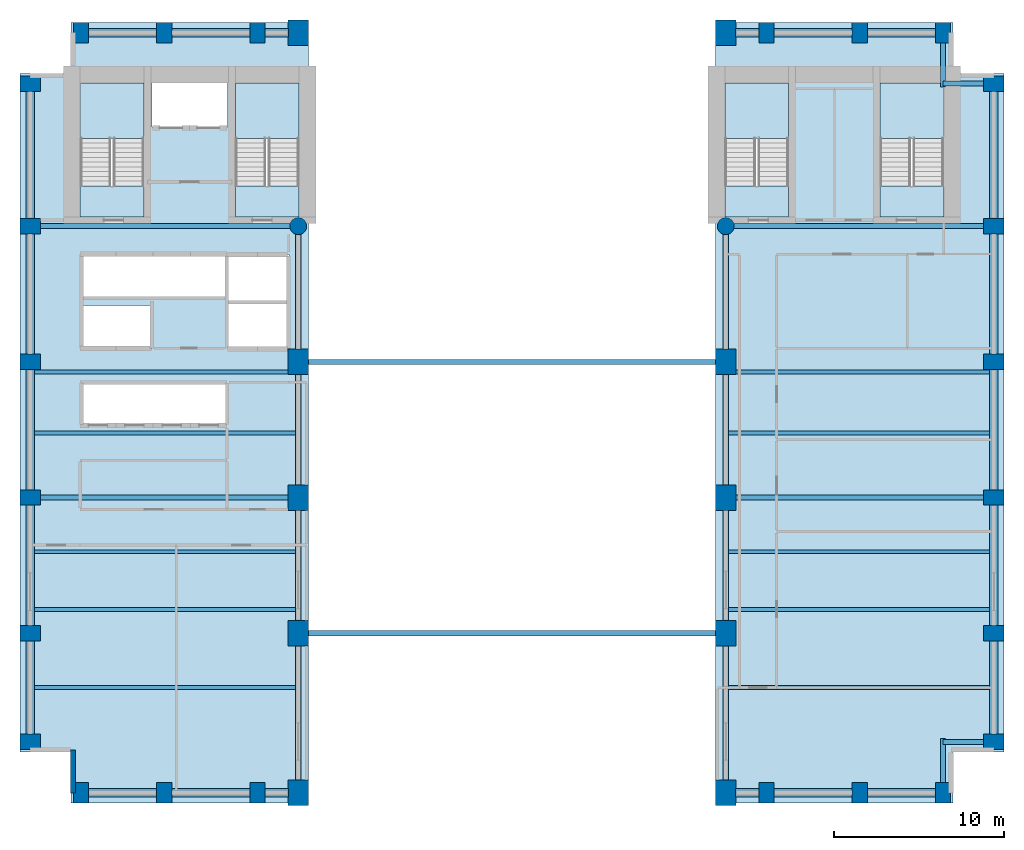
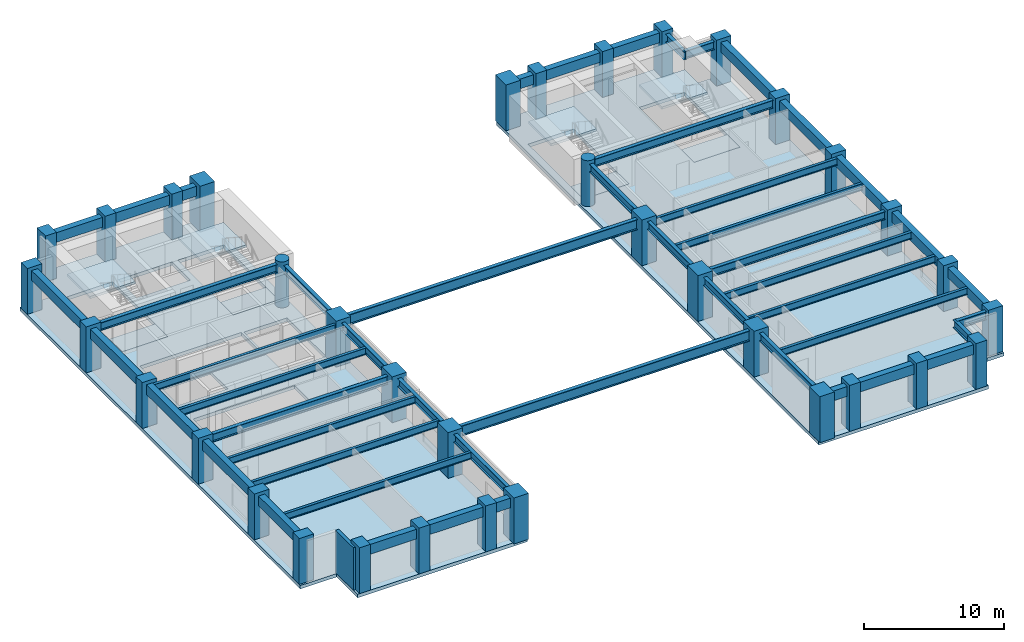
# One storey, part 1 of 7: 46 beams, 36 columns, 10 slabs, 1 wall, 4 elements without a shape of their own.
"""IFC4 building model written with IfcOpenShell, lengths in metres."""

from ifc_helpers import new_model, si_unit, direction, frame, frame_2d, origin, origin_2d, place, context, subcontext, project, spatial, polyline, rectangle, circle, i_section, outline, extrude, material, layer, layer_set, material_profile, profile_set, type_object, element, aggregate, save


model = new_model("IFC4")

# Units and contexts
model_context = context("Model", 3, precision=1e-05, world=origin(), true_north=direction((0.0, 1.0)))
body_context = subcontext(model_context, "Body", "Model", "MODEL_VIEW")
ifc_project = project(units=[si_unit("LENGTHUNIT", "METRE"), si_unit("AREAUNIT", "SQUARE_METRE"), si_unit("VOLUMEUNIT", "CUBIC_METRE"), si_unit("PLANEANGLEUNIT", "RADIAN"), si_unit("MASSUNIT", "GRAM", prefix="KILO")], contexts=[model_context])

# Site, building, storey
site_placement = place(None, origin())
site = spatial("IfcSite", under=ifc_project, at=site_placement, CompositionType="ELEMENT")
building_placement = place(site_placement, origin())
building = spatial("IfcBuilding", under=site, at=building_placement, Name="Sulina Concourse Tower", CompositionType="ELEMENT")
storey_placement = place(building_placement, frame((0.0, 0.0, 26.60009765625)))
storey = spatial("IfcBuildingStorey", under=building, at=storey_placement, Name="L06", CompositionType="ELEMENT", Elevation=26.60009765625)

# Columns
ifc_material_1 = material(Name="Concrete C60/75", Category="concrete")
ifc_material_profile_1 = material_profile(ifc_material_1, circle(Radius=0.5, at=origin_2d()), Name="RC D1000")
ifc_profile_set_1 = profile_set([ifc_material_profile_1], Name="Concrete C60/75")
column_type_1 = type_object("IfcColumnType", Name="Lower Interior Circular Column D1000", PredefinedType="COLUMN", material=ifc_profile_set_1)
for number, where, z_axis, x_axis, name in (
    (1, (16.39990234375, 34.0, 0.0), (0.0, 0.0, 1.0), (1.0, 0.0, 0.0), "L06 structural column IC-N-164"),
    (2, (41.60009765625, 34.0, 0.0), (0.0, 0.0, 1.0), (1.0, 0.0, 0.0), "L06 structural column IC-N-416"),
):
    element("IfcColumn", number, at=place(storey_placement, frame(where, z_axis=z_axis, x_axis=x_axis)), inside=storey, type_object=column_type_1, Name=name, PredefinedType="COLUMN", context=body_context, shape_type="SweptSolid", body=[
        extrude(circle(Radius=0.5, at=origin_2d()), origin(), (0.0, 0.0, 1.0), 4.0),
    ])
ifc_material_2 = material(Name="Concrete C80/95", Category="concrete")
ifc_material_profile_2 = material_profile(ifc_material_2, rectangle(XDim=1.199951171875, YDim=1.5, at=origin_2d()), Name="RC 1200x1500")
ifc_profile_set_2 = profile_set([ifc_material_profile_2], Name="Concrete C80/95")
column_type_2 = type_object("IfcColumnType", Name="Lower Portal End-Leg Column 1200x1500", PredefinedType="COLUMN", material=ifc_profile_set_2)
for number, where, z_axis, x_axis, name in (
    (3, (16.39990234375, 0.60009765625, 0.0), (0.0, 0.0, 1.0), (1.0, 0.0, 0.0), "L06 structural column TP-S-164"),
    (4, (16.39990234375, 45.39990234375, 0.0), (0.0, 0.0, 1.0), (1.0, 0.0, 0.0), "L06 structural column TP-N-164"),
    (5, (41.60009765625, 0.60009765625, 0.0), (0.0, 0.0, 1.0), (1.0, 0.0, 0.0), "L06 structural column TP-S-416"),
    (6, (41.60009765625, 45.39990234375, 0.0), (0.0, 0.0, 1.0), (1.0, 0.0, 0.0), "L06 structural column TP-N-416"),
    (7, (16.39990234375, 10.0, 0.0), (0.0, 0.0, 1.0), (1.0, 0.0, 0.0), "L06 structural column LP-FW-10"),
    (8, (41.60009765625, 10.0, 0.0), (0.0, 0.0, 1.0), (1.0, 0.0, 0.0), "L06 structural column LP-FE-10"),
    (9, (16.39990234375, 18.0, 0.0), (0.0, 0.0, 1.0), (1.0, 0.0, 0.0), "L06 structural column LP-FW-18"),
    (10, (41.60009765625, 18.0, 0.0), (0.0, 0.0, 1.0), (1.0, 0.0, 0.0), "L06 structural column LP-FE-18"),
    (11, (16.39990234375, 26.0, 0.0), (0.0, 0.0, 1.0), (1.0, 0.0, 0.0), "L06 structural column LP-FW-26"),
    (12, (41.60009765625, 26.0, 0.0), (0.0, 0.0, 1.0), (1.0, 0.0, 0.0), "L06 structural column LP-FE-26"),
):
    element("IfcColumn", number, at=place(storey_placement, frame(where, z_axis=z_axis, x_axis=x_axis)), inside=storey, type_object=column_type_2, Name=name, PredefinedType="COLUMN", context=body_context, shape_type="SweptSolid", body=[
        extrude(rectangle(XDim=1.199951171875, YDim=1.5, at=origin_2d()), origin(), (0.0, 0.0, 1.0), 4.0),
    ])
ifc_material_3 = material(Name="Precast concrete C60/75", Category="concrete")
ifc_material_profile_3 = material_profile(ifc_material_3, rectangle(XDim=0.89990234375, YDim=1.199951171875, at=origin_2d()), Name="PC 900x1200")
ifc_profile_set_3 = profile_set([ifc_material_profile_3], Name="Precast concrete C60/75")
column_type_3 = type_object("IfcColumnType", Name="Precast Tube Pier Zone 1 900x1200", PredefinedType="COLUMN", material=ifc_profile_set_3)
for number, where, z_axis, x_axis, name in (
    (13, (3.60009765625, 0.60009765625, 0.0), (0.0, 0.0, 1.0), (1.0, 0.0, 0.0), "L06 structural column TP-S-36"),
    (14, (3.60009765625, 45.39990234375, 0.0), (0.0, 0.0, 1.0), (1.0, 0.0, 0.0), "L06 structural column TP-N-36"),
    (15, (8.5, 0.60009765625, 0.0), (0.0, 0.0, 1.0), (1.0, 0.0, 0.0), "L06 structural column TP-S-85"),
    (16, (8.5, 45.39990234375, 0.0), (0.0, 0.0, 1.0), (1.0, 0.0, 0.0), "L06 structural column TP-N-85"),
    (17, (14.0, 0.60009765625, 0.0), (0.0, 0.0, 1.0), (1.0, 0.0, 0.0), "L06 structural column TP-S-140"),
    (18, (14.0, 45.39990234375, 0.0), (0.0, 0.0, 1.0), (1.0, 0.0, 0.0), "L06 structural column TP-N-140"),
    (19, (44.0, 0.60009765625, 0.0), (0.0, 0.0, 1.0), (1.0, 0.0, 0.0), "L06 structural column TP-S-440"),
    (20, (44.0, 45.39990234375, 0.0), (0.0, 0.0, 1.0), (1.0, 0.0, 0.0), "L06 structural column TP-N-440"),
    (21, (49.5, 0.60009765625, 0.0), (0.0, 0.0, 1.0), (1.0, 0.0, 0.0), "L06 structural column TP-S-495"),
    (22, (49.5, 45.39990234375, 0.0), (0.0, 0.0, 1.0), (1.0, 0.0, 0.0), "L06 structural column TP-N-495"),
    (23, (54.39990234375, 0.60009765625, 0.0), (0.0, 0.0, 1.0), (1.0, 0.0, 0.0), "L06 structural column TP-S-544"),
    (24, (54.39990234375, 45.39990234375, 0.0), (0.0, 0.0, 1.0), (1.0, 0.0, 0.0), "L06 structural column TP-N-544"),
    (25, (0.60009765625, 3.60009765625, 0.0), (0.0, 0.0, 1.0), (0.0, 1.0, 0.0), "L06 structural column TP-W-36"),
    (26, (57.39990234375, 3.60009765625, 0.0), (0.0, 0.0, 1.0), (0.0, 1.0, 0.0), "L06 structural column TP-E-36"),
    (27, (0.60009765625, 10.0, 0.0), (0.0, 0.0, 1.0), (0.0, 1.0, 0.0), "L06 structural column TP-W-100"),
    (28, (57.39990234375, 10.0, 0.0), (0.0, 0.0, 1.0), (0.0, 1.0, 0.0), "L06 structural column TP-E-100"),
    (29, (0.60009765625, 18.0, 0.0), (0.0, 0.0, 1.0), (0.0, 1.0, 0.0), "L06 structural column TP-W-180"),
    (30, (57.39990234375, 18.0, 0.0), (0.0, 0.0, 1.0), (0.0, 1.0, 0.0), "L06 structural column TP-E-180"),
    (31, (0.60009765625, 26.0, 0.0), (0.0, 0.0, 1.0), (0.0, 1.0, 0.0), "L06 structural column TP-W-260"),
    (32, (57.39990234375, 26.0, 0.0), (0.0, 0.0, 1.0), (0.0, 1.0, 0.0), "L06 structural column TP-E-260"),
    (33, (0.60009765625, 34.0, 0.0), (0.0, 0.0, 1.0), (0.0, 1.0, 0.0), "L06 structural column TP-W-340"),
    (34, (57.39990234375, 34.0, 0.0), (0.0, 0.0, 1.0), (0.0, 1.0, 0.0), "L06 structural column TP-E-340"),
    (35, (0.60009765625, 42.39990234375, 0.0), (0.0, 0.0, 1.0), (0.0, 1.0, 0.0), "L06 structural column TP-W-424"),
    (36, (57.39990234375, 42.39990234375, 0.0), (0.0, 0.0, 1.0), (0.0, 1.0, 0.0), "L06 structural column TP-E-424"),
):
    element("IfcColumn", number, at=place(storey_placement, frame(where, z_axis=z_axis, x_axis=x_axis)), inside=storey, type_object=column_type_3, Name=name, PredefinedType="COLUMN", context=body_context, shape_type="SweptSolid", body=[
        extrude(rectangle(XDim=0.89990234375, YDim=1.199951171875, at=origin_2d()), origin(), (0.0, 0.0, 1.0), 4.0),
    ])

# Beams
ifc_material_4 = material(Name="Steel S355", Category="steel")
ifc_material_profile_4 = material_profile(ifc_material_4, i_section(OverallWidth=0.219970703125, OverallDepth=0.60009765625, WebThickness=0.011962890625, FlangeThickness=0.01904296875, at=origin_2d()), Name="IPE 600")
ifc_profile_set_4 = profile_set([ifc_material_profile_4], Name="Steel S355")
beam_type_1 = type_object("IfcBeamType", Name="Composite Floor Joist IPE600", PredefinedType="JOIST", material=ifc_profile_set_4)
for number, where, z_axis, x_axis, name in (
    (37, (0.85009765625, 6.800048828125, 3.39990234375), (1.0, 0.0, 0.0), (0.0, 1.0, 0.0), "FJ-J06-1-L06"),
    (38, (41.75, 6.800048828125, 3.39990234375), (1.0, 0.0, 0.0), (0.0, 1.0, 0.0), "FJ-J06-3-L06"),
    (39, (0.85009765625, 11.39990234375, 3.39990234375), (1.0, 0.0, 0.0), (0.0, 1.0, 0.0), "FJ-J11-1-L06"),
    (40, (41.75, 11.39990234375, 3.39990234375), (1.0, 0.0, 0.0), (0.0, 1.0, 0.0), "FJ-J11-3-L06"),
    (41, (0.85009765625, 14.800048828125, 3.39990234375), (1.0, 0.0, 0.0), (0.0, 1.0, 0.0), "FJ-J15-1-L06"),
    (42, (41.75, 14.800048828125, 3.39990234375), (1.0, 0.0, 0.0), (0.0, 1.0, 0.0), "FJ-J15-3-L06"),
    (43, (0.85009765625, 21.800048828125, 3.39990234375), (1.0, 0.0, 0.0), (0.0, 1.0, 0.0), "FJ-J22-1-L06"),
    (44, (41.75, 21.800048828125, 3.39990234375), (1.0, 0.0, 0.0), (0.0, 1.0, 0.0), "FJ-J22-3-L06"),
    (45, (0.85009765625, 25.39990234375, 3.39990234375), (1.0, 0.0, 0.0), (0.0, 1.0, 0.0), "FJ-J25-1-L06"),
    (46, (41.75, 25.39990234375, 3.39990234375), (1.0, 0.0, 0.0), (0.0, 1.0, 0.0), "FJ-J25-3-L06"),
):
    element("IfcBeam", number, at=place(storey_placement, frame(where, z_axis=z_axis, x_axis=x_axis)), inside=storey, type_object=beam_type_1, Name=name, PredefinedType="JOIST", context=body_context, shape_type="SweptSolid", body=[
        extrude(i_section(OverallWidth=0.219970703125, OverallDepth=0.60009765625, WebThickness=0.011962890625, FlangeThickness=0.01904296875, at=origin_2d()), origin(), (0.0, 0.0, 1.0), 15.39990234375),
    ])
ifc_material_5 = material(Name="Steel S355", Category="steel")
ifc_material_profile_5 = material_profile(ifc_material_5, i_section(OverallWidth=0.300048828125, OverallDepth=0.699951171875, WebThickness=0.01708984375, FlangeThickness=0.031982421875, at=origin_2d()), Name="HE 700 B")
ifc_profile_set_5 = profile_set([ifc_material_profile_5], Name="Steel S355")
beam_type_2 = type_object("IfcBeamType", Name="Floor Primary Girder Zone 1 HE700B", PredefinedType="BEAM", material=ifc_profile_set_5)
for number, where, z_axis, x_axis, name in (
    (47, (54.39990234375, 3.60009765625, 3.349853515625), (1.0, 0.0, 0.0), (0.0, 1.0, 0.0), "TIE-SE-L06"),
    (48, (54.39990234375, 42.39990234375, 3.349853515625), (1.0, 0.0, 0.0), (0.0, 1.0, 0.0), "TIE-NE-L06"),
):
    element("IfcBeam", number, at=place(storey_placement, frame(where, z_axis=z_axis, x_axis=x_axis)), inside=storey, type_object=beam_type_2, Name=name, PredefinedType="BEAM", context=body_context, shape_type="SweptSolid", body=[
        extrude(i_section(OverallWidth=0.300048828125, OverallDepth=0.699951171875, WebThickness=0.01708984375, FlangeThickness=0.031982421875, at=origin_2d()), origin(), (0.0, 0.0, 1.0), 2.570068359375),
    ])
for number, where, z_axis, x_axis, name in (
    (49, (54.39990234375, 1.030029296875, 3.349853515625), (0.0, 1.0, 0.0), (-1.0, 0.0, 0.0), "TIE-SES-L06"),
    (50, (54.39990234375, 42.199951171875, 3.349853515625), (0.0, 1.0, 0.0), (-1.0, 0.0, 0.0), "TIE-NEN-L06"),
):
    element("IfcBeam", number, at=place(storey_placement, frame(where, z_axis=z_axis, x_axis=x_axis)), inside=storey, type_object=beam_type_2, Name=name, PredefinedType="BEAM", context=body_context, shape_type="SweptSolid", body=[
        extrude(i_section(OverallWidth=0.300048828125, OverallDepth=0.699951171875, WebThickness=0.01708984375, FlangeThickness=0.031982421875, at=origin_2d()), origin(), (0.0, 0.0, 1.0), 2.77001953125),
    ])
for number, where, z_axis, x_axis, name in (
    (51, (1.030029296875, 18.0, 3.349853515625), (1.0, 0.0, 0.0), (0.0, 1.0, 0.0), "FG-EW1-L06"),
    (52, (42.179931640625, 18.0, 3.349853515625), (1.0, 0.0, 0.0), (0.0, 1.0, 0.0), "FG-EW3-L06"),
):
    element("IfcBeam", number, at=place(storey_placement, frame(where, z_axis=z_axis, x_axis=x_axis)), inside=storey, type_object=beam_type_2, Name=name, PredefinedType="BEAM", context=body_context, shape_type="SweptSolid", body=[
        extrude(i_section(OverallWidth=0.300048828125, OverallDepth=0.699951171875, WebThickness=0.01708984375, FlangeThickness=0.031982421875, at=origin_2d()), origin(), (0.0, 0.0, 1.0), 14.7900390625),
    ])
for number, where, z_axis, x_axis, name in (
    (53, (1.030029296875, 34.0, 3.349853515625), (1.0, 0.0, 0.0), (0.0, 1.0, 0.0), "FG-EWN1-L06"),
    (54, (42.080078125, 34.0, 3.349853515625), (1.0, 0.0, 0.0), (0.0, 1.0, 0.0), "FG-EWN3-L06"),
):
    element("IfcBeam", number, at=place(storey_placement, frame(where, z_axis=z_axis, x_axis=x_axis)), inside=storey, type_object=beam_type_2, Name=name, PredefinedType="BEAM", context=body_context, shape_type="SweptSolid", body=[
        extrude(i_section(OverallWidth=0.300048828125, OverallDepth=0.699951171875, WebThickness=0.01708984375, FlangeThickness=0.031982421875, at=origin_2d()), origin(), (0.0, 0.0, 1.0), 14.889892578125),
    ])
beam_1_placement = place(storey_placement, frame((16.39990234375, 1.179931640625, 3.349853515625), z_axis=(0.0, 1.0, 0.0), x_axis=(-1.0, 0.0, 0.0)))
element("IfcBeam", 55, at=beam_1_placement, inside=storey, type_object=beam_type_2, Name="FG-NSA-16-L06", PredefinedType="BEAM", context=body_context, shape_type="SweptSolid", body=[
    extrude(i_section(OverallWidth=0.300048828125, OverallDepth=0.699951171875, WebThickness=0.01708984375, FlangeThickness=0.031982421875, at=origin_2d()), origin(), (0.0, 0.0, 1.0), 16.239990234375),
])
beam_2_placement = place(storey_placement, frame((16.39990234375, 18.580078125, 3.349853515625), z_axis=(0.0, 1.0, 0.0), x_axis=(-1.0, 0.0, 0.0)))
element("IfcBeam", 56, at=beam_2_placement, inside=storey, type_object=beam_type_2, Name="FG-NSB-16-L06", PredefinedType="BEAM", context=body_context, shape_type="SweptSolid", body=[
    extrude(i_section(OverallWidth=0.300048828125, OverallDepth=0.699951171875, WebThickness=0.01708984375, FlangeThickness=0.031982421875, at=origin_2d()), origin(), (0.0, 0.0, 1.0), 14.93994140625),
])
beam_3_placement = place(storey_placement, frame((41.60009765625, 1.179931640625, 3.349853515625), z_axis=(0.0, 1.0, 0.0), x_axis=(-1.0, 0.0, 0.0)))
element("IfcBeam", 57, at=beam_3_placement, inside=storey, type_object=beam_type_2, Name="FG-NSA-41-L06", PredefinedType="BEAM", context=body_context, shape_type="SweptSolid", body=[
    extrude(i_section(OverallWidth=0.300048828125, OverallDepth=0.699951171875, WebThickness=0.01708984375, FlangeThickness=0.031982421875, at=origin_2d()), origin(), (0.0, 0.0, 1.0), 16.239990234375),
])
beam_4_placement = place(storey_placement, frame((41.60009765625, 18.580078125, 3.349853515625), z_axis=(0.0, 1.0, 0.0), x_axis=(-1.0, 0.0, 0.0)))
element("IfcBeam", 58, at=beam_4_placement, inside=storey, type_object=beam_type_2, Name="FG-NSB-41-L06", PredefinedType="BEAM", context=body_context, shape_type="SweptSolid", body=[
    extrude(i_section(OverallWidth=0.300048828125, OverallDepth=0.699951171875, WebThickness=0.01708984375, FlangeThickness=0.031982421875, at=origin_2d()), origin(), (0.0, 0.0, 1.0), 14.93994140625),
])
ifc_material_6 = material(Name="Steel S355", Category="steel")
ifc_material_profile_6 = material_profile(ifc_material_6, i_section(OverallWidth=0.302001953125, OverallDepth=0.909912109375, WebThickness=0.02099609375, FlangeThickness=0.0400390625, at=origin_2d()), Name="HE 900 M")
ifc_profile_set_6 = profile_set([ifc_material_profile_6], Name="Steel S355")
beam_type_3 = type_object("IfcBeamType", Name="Lower Portal Bridge Girder HE900M", PredefinedType="BEAM", material=ifc_profile_set_6)
for number, where, z_axis, x_axis, name in (
    (59, (17.0, 10.0, 3.244873046875), (1.0, 0.0, 0.0), (0.0, 1.0, 0.0), "TB-LP2-1-L06"),
    (60, (17.0, 26.0, 3.244873046875), (1.0, 0.0, 0.0), (0.0, 1.0, 0.0), "TB-LP2-2-L06"),
):
    element("IfcBeam", number, at=place(storey_placement, frame(where, z_axis=z_axis, x_axis=x_axis)), inside=storey, type_object=beam_type_3, Name=name, PredefinedType="BEAM", context=body_context, shape_type="SweptSolid", body=[
        extrude(i_section(OverallWidth=0.302001953125, OverallDepth=0.909912109375, WebThickness=0.02099609375, FlangeThickness=0.0400390625, at=origin_2d()), origin(), (0.0, 0.0, 1.0), 24.0),
    ])
ifc_material_7 = material(Name="Precast concrete C50/60", Category="concrete")
ifc_material_profile_7 = material_profile(ifc_material_7, rectangle(XDim=0.5, YDim=0.85009765625, at=origin_2d()), Name="RC 500x850")
ifc_profile_set_7 = profile_set([ifc_material_profile_7], Name="Precast concrete C50/60")
beam_type_4 = type_object("IfcBeamType", Name="Lower Precast Spandrel Edge Beam 500x850", PredefinedType="BEAM", material=ifc_profile_set_7)
beam_5_placement = place(storey_placement, frame((4.030029296875, 0.60009765625, 3.27490234375), z_axis=(1.0, 0.0, 0.0), x_axis=(0.0, 1.0, 0.0)))
element("IfcBeam", 61, at=beam_5_placement, inside=storey, type_object=beam_type_4, Name="SP-S1-L06", PredefinedType="BEAM", context=body_context, shape_type="SweptSolid", body=[
    extrude(rectangle(XDim=0.5, YDim=0.85009765625, at=origin_2d()), origin(), (0.0, 0.0, 1.0), 4.0400390625),
])
beam_6_placement = place(storey_placement, frame((8.929931640625, 0.60009765625, 3.27490234375), z_axis=(1.0, 0.0, 0.0), x_axis=(0.0, 1.0, 0.0)))
element("IfcBeam", 62, at=beam_6_placement, inside=storey, type_object=beam_type_4, Name="SP-S2-L06", PredefinedType="BEAM", context=body_context, shape_type="SweptSolid", body=[
    extrude(rectangle(XDim=0.5, YDim=0.85009765625, at=origin_2d()), origin(), (0.0, 0.0, 1.0), 4.64013671875),
])
for number, where, z_axis, x_axis, name in (
    (63, (14.429931640625, 0.60009765625, 3.27490234375), (1.0, 0.0, 0.0), (0.0, 1.0, 0.0), "SP-S3-L06"),
    (64, (42.179931640625, 0.60009765625, 3.27490234375), (1.0, 0.0, 0.0), (0.0, 1.0, 0.0), "SP-S5-L06"),
):
    element("IfcBeam", number, at=place(storey_placement, frame(where, z_axis=z_axis, x_axis=x_axis)), inside=storey, type_object=beam_type_4, Name=name, PredefinedType="BEAM", context=body_context, shape_type="SweptSolid", body=[
        extrude(rectangle(XDim=0.5, YDim=0.85009765625, at=origin_2d()), origin(), (0.0, 0.0, 1.0), 1.39013671875),
    ])
beam_7_placement = place(storey_placement, frame((44.429931640625, 0.60009765625, 3.27490234375), z_axis=(1.0, 0.0, 0.0), x_axis=(0.0, 1.0, 0.0)))
element("IfcBeam", 65, at=beam_7_placement, inside=storey, type_object=beam_type_4, Name="SP-S6-L06", PredefinedType="BEAM", context=body_context, shape_type="SweptSolid", body=[
    extrude(rectangle(XDim=0.5, YDim=0.85009765625, at=origin_2d()), origin(), (0.0, 0.0, 1.0), 4.64013671875),
])
for number, where, z_axis, x_axis, name in (
    (66, (49.929931640625, 0.60009765625, 3.27490234375), (1.0, 0.0, 0.0), (0.0, 1.0, 0.0), "SP-S7-L06"),
    (67, (4.030029296875, 45.39990234375, 3.27490234375), (1.0, 0.0, 0.0), (0.0, 1.0, 0.0), "SP-N1-L06"),
):
    element("IfcBeam", number, at=place(storey_placement, frame(where, z_axis=z_axis, x_axis=x_axis)), inside=storey, type_object=beam_type_4, Name=name, PredefinedType="BEAM", context=body_context, shape_type="SweptSolid", body=[
        extrude(rectangle(XDim=0.5, YDim=0.85009765625, at=origin_2d()), origin(), (0.0, 0.0, 1.0), 4.0400390625),
    ])
beam_8_placement = place(storey_placement, frame((8.929931640625, 45.39990234375, 3.27490234375), z_axis=(1.0, 0.0, 0.0), x_axis=(0.0, 1.0, 0.0)))
element("IfcBeam", 68, at=beam_8_placement, inside=storey, type_object=beam_type_4, Name="SP-N2-L06", PredefinedType="BEAM", context=body_context, shape_type="SweptSolid", body=[
    extrude(rectangle(XDim=0.5, YDim=0.85009765625, at=origin_2d()), origin(), (0.0, 0.0, 1.0), 4.64013671875),
])
for number, where, z_axis, x_axis, name in (
    (69, (14.429931640625, 45.39990234375, 3.27490234375), (1.0, 0.0, 0.0), (0.0, 1.0, 0.0), "SP-N3-L06"),
    (70, (42.179931640625, 45.39990234375, 3.27490234375), (1.0, 0.0, 0.0), (0.0, 1.0, 0.0), "SP-N5-L06"),
):
    element("IfcBeam", number, at=place(storey_placement, frame(where, z_axis=z_axis, x_axis=x_axis)), inside=storey, type_object=beam_type_4, Name=name, PredefinedType="BEAM", context=body_context, shape_type="SweptSolid", body=[
        extrude(rectangle(XDim=0.5, YDim=0.85009765625, at=origin_2d()), origin(), (0.0, 0.0, 1.0), 1.39013671875),
    ])
beam_9_placement = place(storey_placement, frame((44.429931640625, 45.39990234375, 3.27490234375), z_axis=(1.0, 0.0, 0.0), x_axis=(0.0, 1.0, 0.0)))
element("IfcBeam", 71, at=beam_9_placement, inside=storey, type_object=beam_type_4, Name="SP-N6-L06", PredefinedType="BEAM", context=body_context, shape_type="SweptSolid", body=[
    extrude(rectangle(XDim=0.5, YDim=0.85009765625, at=origin_2d()), origin(), (0.0, 0.0, 1.0), 4.64013671875),
])
beam_10_placement = place(storey_placement, frame((49.929931640625, 45.39990234375, 3.27490234375), z_axis=(1.0, 0.0, 0.0), x_axis=(0.0, 1.0, 0.0)))
element("IfcBeam", 72, at=beam_10_placement, inside=storey, type_object=beam_type_4, Name="SP-N7-L06", PredefinedType="BEAM", context=body_context, shape_type="SweptSolid", body=[
    extrude(rectangle(XDim=0.5, YDim=0.85009765625, at=origin_2d()), origin(), (0.0, 0.0, 1.0), 4.0400390625),
])
beam_11_placement = place(storey_placement, frame((0.60009765625, 4.030029296875, 3.27490234375), z_axis=(0.0, 1.0, 0.0), x_axis=(-1.0, 0.0, 0.0)))
element("IfcBeam", 73, at=beam_11_placement, inside=storey, type_object=beam_type_4, Name="SP-W1-L06", PredefinedType="BEAM", context=body_context, shape_type="SweptSolid", body=[
    extrude(rectangle(XDim=0.5, YDim=0.85009765625, at=origin_2d()), origin(), (0.0, 0.0, 1.0), 5.5400390625),
])
for number, where, z_axis, x_axis, name in (
    (74, (0.60009765625, 10.429931640625, 3.27490234375), (0.0, 1.0, 0.0), (-1.0, 0.0, 0.0), "SP-W2-L06"),
    (75, (0.60009765625, 18.429931640625, 3.27490234375), (0.0, 1.0, 0.0), (-1.0, 0.0, 0.0), "SP-W3-L06"),
    (76, (0.60009765625, 26.429931640625, 3.27490234375), (0.0, 1.0, 0.0), (-1.0, 0.0, 0.0), "SP-W4-L06"),
):
    element("IfcBeam", number, at=place(storey_placement, frame(where, z_axis=z_axis, x_axis=x_axis)), inside=storey, type_object=beam_type_4, Name=name, PredefinedType="BEAM", context=body_context, shape_type="SweptSolid", body=[
        extrude(rectangle(XDim=0.5, YDim=0.85009765625, at=origin_2d()), origin(), (0.0, 0.0, 1.0), 7.14013671875),
    ])
beam_12_placement = place(storey_placement, frame((0.60009765625, 34.429931640625, 3.27490234375), z_axis=(0.0, 1.0, 0.0), x_axis=(-1.0, 0.0, 0.0)))
element("IfcBeam", 77, at=beam_12_placement, inside=storey, type_object=beam_type_4, Name="SP-W5-L06", PredefinedType="BEAM", context=body_context, shape_type="SweptSolid", body=[
    extrude(rectangle(XDim=0.5, YDim=0.85009765625, at=origin_2d()), origin(), (0.0, 0.0, 1.0), 7.5400390625),
])
beam_13_placement = place(storey_placement, frame((57.39990234375, 4.030029296875, 3.27490234375), z_axis=(0.0, 1.0, 0.0), x_axis=(-1.0, 0.0, 0.0)))
element("IfcBeam", 78, at=beam_13_placement, inside=storey, type_object=beam_type_4, Name="SP-E1-L06", PredefinedType="BEAM", context=body_context, shape_type="SweptSolid", body=[
    extrude(rectangle(XDim=0.5, YDim=0.85009765625, at=origin_2d()), origin(), (0.0, 0.0, 1.0), 5.5400390625),
])
for number, where, z_axis, x_axis, name in (
    (79, (57.39990234375, 10.429931640625, 3.27490234375), (0.0, 1.0, 0.0), (-1.0, 0.0, 0.0), "SP-E2-L06"),
    (80, (57.39990234375, 18.429931640625, 3.27490234375), (0.0, 1.0, 0.0), (-1.0, 0.0, 0.0), "SP-E3-L06"),
    (81, (57.39990234375, 26.429931640625, 3.27490234375), (0.0, 1.0, 0.0), (-1.0, 0.0, 0.0), "SP-E4-L06"),
):
    element("IfcBeam", number, at=place(storey_placement, frame(where, z_axis=z_axis, x_axis=x_axis)), inside=storey, type_object=beam_type_4, Name=name, PredefinedType="BEAM", context=body_context, shape_type="SweptSolid", body=[
        extrude(rectangle(XDim=0.5, YDim=0.85009765625, at=origin_2d()), origin(), (0.0, 0.0, 1.0), 7.14013671875),
    ])
beam_14_placement = place(storey_placement, frame((57.39990234375, 34.429931640625, 3.27490234375), z_axis=(0.0, 1.0, 0.0), x_axis=(-1.0, 0.0, 0.0)))
element("IfcBeam", 82, at=beam_14_placement, inside=storey, type_object=beam_type_4, Name="SP-E5-L06", PredefinedType="BEAM", context=body_context, shape_type="SweptSolid", body=[
    extrude(rectangle(XDim=0.5, YDim=0.85009765625, at=origin_2d()), origin(), (0.0, 0.0, 1.0), 7.5400390625),
])

# Slabs
ifc_material_8 = material(Name="Concrete C50/60", Category="concrete")
ifc_layer_1 = layer(ifc_material_8, 0.300048828125)
ifc_layer_set_1 = layer_set([ifc_layer_1], Name="Concrete C50/60")
slab_type_1 = type_object("IfcSlabType", Name="Low-Rise Composite Floor Slab 300mm", PredefinedType="FLOOR", material=ifc_layer_set_1)
slab_1_placement = place(storey_placement, frame((0.0, 0.0, -0.300048828125)))
element("IfcSlab", 83, at=slab_1_placement, inside=storey, type_object=slab_type_1, Name="L06 structural floor slab-P1", PredefinedType="FLOOR", context=body_context, shape_type="SweptSolid", body=[
    extrude(outline(polyline([(3.0, 0.0), (17.0, 0.0), (17.0, 46.0), (3.0, 46.0), (3.0, 43.0), (0.0, 43.0), (0.0, 3.0), (3.0, 3.0), (3.0, 0.0)]), holes=[polyline([(7.31005859375, 34.550048828125), (7.31005859375, 42.429931640625), (3.550048828125, 42.429931640625), (3.550048828125, 34.550048828125), (7.31005859375, 34.550048828125)]), polyline([(16.449951171875, 34.550048828125), (16.449951171875, 42.429931640625), (12.68994140625, 42.429931640625), (12.68994140625, 34.550048828125), (16.449951171875, 34.550048828125)]), polyline([(7.780029296875, 39.830078125), (12.219970703125, 39.830078125), (12.219970703125, 42.449951171875), (7.780029296875, 42.449951171875), (7.780029296875, 39.830078125)]), polyline([(3.739990234375, 26.780029296875), (7.77001953125, 26.780029296875), (7.77001953125, 29.320068359375), (3.739990234375, 29.320068359375), (3.739990234375, 26.780029296875)]), polyline([(3.739990234375, 29.780029296875), (12.10009765625, 29.780029296875), (12.10009765625, 32.3701171875), (3.739990234375, 32.3701171875), (3.739990234375, 29.780029296875)]), polyline([(3.739990234375, 22.280029296875), (12.10009765625, 22.280029296875), (12.10009765625, 24.77001953125), (3.739990234375, 24.77001953125), (3.739990234375, 22.280029296875)]), polyline([(12.280029296875, 26.780029296875), (15.85009765625, 26.780029296875), (15.85009765625, 32.320068359375), (12.280029296875, 32.320068359375), (12.280029296875, 26.780029296875)])]), origin(), (0.0, 0.0, 1.0), 0.300048828125),
])
slab_2_placement = place(storey_placement, frame((0.0, 0.0, -0.300048828125)))
element("IfcSlab", 84, at=slab_2_placement, inside=storey, type_object=slab_type_1, Name="L06 structural floor slab-P2", PredefinedType="FLOOR", context=body_context, shape_type="SweptSolid", body=[
    extrude(outline(polyline([(41.0, 0.0), (55.0, 0.0), (55.0, 3.0), (58.0, 3.0), (58.0, 43.0), (55.0, 43.0), (55.0, 46.0), (41.0, 46.0), (41.0, 0.0)]), holes=[polyline([(45.31005859375, 34.550048828125), (45.31005859375, 42.429931640625), (41.550048828125, 42.429931640625), (41.550048828125, 34.550048828125), (45.31005859375, 34.550048828125)]), polyline([(54.449951171875, 34.550048828125), (54.449951171875, 42.429931640625), (50.68994140625, 42.429931640625), (50.68994140625, 34.550048828125), (54.449951171875, 34.550048828125)])]), origin(), (0.0, 0.0, 1.0), 0.300048828125),
])
ifc_material_9 = material(Name="Concrete C50/60", Category="concrete")
ifc_layer_2 = layer(ifc_material_9, 0.199951171875)
ifc_layer_set_2 = layer_set([ifc_layer_2], Name="Concrete C50/60")
slab_type_2 = type_object("IfcSlabType", Name="Primary Core Stair Landing Slab 200mm", PredefinedType="LANDING", material=ifc_layer_set_2)
slab_3_placement = place(storey_placement, frame((0.0, 0.0, -0.2001953125)))
element("IfcSlab", 85, at=slab_3_placement, inside=storey, type_object=slab_type_2, Name="L06 ST-1 floor landing slab", PredefinedType="LANDING", context=body_context, shape_type="SweptSolid", body=[
    extrude(outline(polyline([(7.31005859375, 34.550048828125), (7.31005859375, 36.375), (3.550048828125, 36.375), (3.550048828125, 34.550048828125), (7.31005859375, 34.550048828125)])), origin(), (0.0, 0.0, 1.0), 0.2001953125),
])
slab_4_placement = place(storey_placement, frame((0.0, 0.0, -0.2001953125)))
element("IfcSlab", 86, at=slab_4_placement, inside=storey, type_object=slab_type_2, Name="L06 ST-2 floor landing slab", PredefinedType="LANDING", context=body_context, shape_type="SweptSolid", body=[
    extrude(outline(polyline([(16.449951171875, 34.550048828125), (16.449951171875, 36.375), (12.68994140625, 36.375), (12.68994140625, 34.550048828125), (16.449951171875, 34.550048828125)])), origin(), (0.0, 0.0, 1.0), 0.2001953125),
])
slab_5_placement = place(storey_placement, frame((0.0, 0.0, -0.2001953125)))
element("IfcSlab", 87, at=slab_5_placement, inside=storey, type_object=slab_type_2, Name="L06 ST-3 floor landing slab", PredefinedType="LANDING", context=body_context, shape_type="SweptSolid", body=[
    extrude(outline(polyline([(45.31005859375, 34.550048828125), (45.31005859375, 36.375), (41.550048828125, 36.375), (41.550048828125, 34.550048828125), (45.31005859375, 34.550048828125)])), origin(), (0.0, 0.0, 1.0), 0.2001953125),
])
slab_6_placement = place(storey_placement, frame((0.0, 0.0, -0.2001953125)))
element("IfcSlab", 88, at=slab_6_placement, inside=storey, type_object=slab_type_2, Name="L06 ST-4 floor landing slab", PredefinedType="LANDING", context=body_context, shape_type="SweptSolid", body=[
    extrude(outline(polyline([(54.449951171875, 34.550048828125), (54.449951171875, 36.375), (50.68994140625, 36.375), (50.68994140625, 34.550048828125), (54.449951171875, 34.550048828125)])), origin(), (0.0, 0.0, 1.0), 0.2001953125),
])

# Stair, slab
ifc_material_10 = material(Name="Concrete C50/60", Category="concrete")
stair_type_1 = type_object("IfcStairType", Name="Primary Core Dog-Leg Exit Stair 1800mm", PredefinedType="HALF_TURN_STAIR", material=ifc_material_10)
stair_1_placement = place(storey_placement, origin())
stair_1 = element("IfcStair", 89, at=stair_1_placement, inside=storey, type_object=stair_type_1, Name="L06 ST-1", PredefinedType="HALF_TURN_STAIR")
slab_7_placement = place(storey_placement, frame((0.0, 0.0, 1.7998046875)))
slab_7 = element("IfcSlab", 90, at=slab_7_placement, type_object=slab_type_2, Name="ST-1 landing 1", PredefinedType="LANDING", context=body_context, shape_type="SweptSolid", body=[
    extrude(outline(polyline([(7.304931640625, 39.175048828125), (7.304931640625, 42.425048828125), (3.554931640625, 42.425048828125), (3.554931640625, 39.175048828125), (7.304931640625, 39.175048828125)])), origin(), (0.0, 0.0, 1.0), 0.2001953125),
])
aggregate(stair_1, [slab_7])

stair_2_placement = place(storey_placement, origin())
stair_2 = element("IfcStair", 91, at=stair_2_placement, inside=storey, type_object=stair_type_1, Name="L06 ST-2", PredefinedType="HALF_TURN_STAIR")
slab_8_placement = place(storey_placement, frame((0.0, 0.0, 1.7998046875)))
slab_8 = element("IfcSlab", 92, at=slab_8_placement, type_object=slab_type_2, Name="ST-2 landing 1", PredefinedType="LANDING", context=body_context, shape_type="SweptSolid", body=[
    extrude(outline(polyline([(16.445068359375, 39.175048828125), (16.445068359375, 42.425048828125), (12.695068359375, 42.425048828125), (12.695068359375, 39.175048828125), (16.445068359375, 39.175048828125)])), origin(), (0.0, 0.0, 1.0), 0.2001953125),
])
aggregate(stair_2, [slab_8])

ifc_material_11 = material(Name="Concrete C50/60", Category="concrete")
stair_type_2 = type_object("IfcStairType", Name="Portal & Podium Core Exit Stair 1820mm", PredefinedType="HALF_TURN_STAIR", material=ifc_material_11)
stair_3_placement = place(storey_placement, origin())
stair_3 = element("IfcStair", 93, at=stair_3_placement, inside=storey, type_object=stair_type_2, Name="L06 ST-3", PredefinedType="HALF_TURN_STAIR")
slab_9_placement = place(storey_placement, frame((0.0, 0.0, 1.7998046875)))
slab_9 = element("IfcSlab", 94, at=slab_9_placement, type_object=slab_type_2, Name="ST-3 landing 1", PredefinedType="LANDING", context=body_context, shape_type="SweptSolid", body=[
    extrude(outline(polyline([(45.304931640625, 39.175048828125), (45.304931640625, 42.425048828125), (41.554931640625, 42.425048828125), (41.554931640625, 39.175048828125), (45.304931640625, 39.175048828125)])), origin(), (0.0, 0.0, 1.0), 0.2001953125),
])
aggregate(stair_3, [slab_9])

stair_4_placement = place(storey_placement, origin())
stair_4 = element("IfcStair", 95, at=stair_4_placement, inside=storey, type_object=stair_type_2, Name="L06 ST-4", PredefinedType="HALF_TURN_STAIR")
slab_10_placement = place(storey_placement, frame((0.0, 0.0, 1.7998046875)))
slab_10 = element("IfcSlab", 96, at=slab_10_placement, type_object=slab_type_2, Name="ST-4 landing 1", PredefinedType="LANDING", context=body_context, shape_type="SweptSolid", body=[
    extrude(outline(polyline([(54.445068359375, 39.175048828125), (54.445068359375, 42.425048828125), (50.695068359375, 42.425048828125), (50.695068359375, 39.175048828125), (54.445068359375, 39.175048828125)])), origin(), (0.0, 0.0, 1.0), 0.2001953125),
])
aggregate(stair_4, [slab_10])

# Wall
ifc_material_12 = material(Name="Precast concrete C50/60", Category="concrete")
ifc_layer_3 = layer(ifc_material_12, 0.280029296875)
ifc_layer_set_3 = layer_set([ifc_layer_3], Name="Precast concrete C50/60")
wall_type = type_object("IfcWallType", Name="Typical Precast Masonry-Frame Facade Wall 280mm", PredefinedType="SOLIDWALL", material=ifc_layer_set_3)
wall_placement = place(storey_placement, frame((3.1298828125, 0.60009765625, 0.0), z_axis=(0.0, 0.0, 1.0), x_axis=(0.0, 1.0, 0.0)))
element("IfcWall", 97, at=wall_placement, inside=storey, type_object=wall_type, Name="L06 exterior precast wall CSW1", PredefinedType="SOLIDWALL", context=body_context, shape_type="SweptSolid", body=[
    extrude(rectangle(XDim=2.52978515625, YDim=0.280029296875, at=frame_2d((1.264892578125, 0.0))), origin(), (0.0, 0.0, 1.0), 3.699951171875),
])

save(model, "model.ifc")
